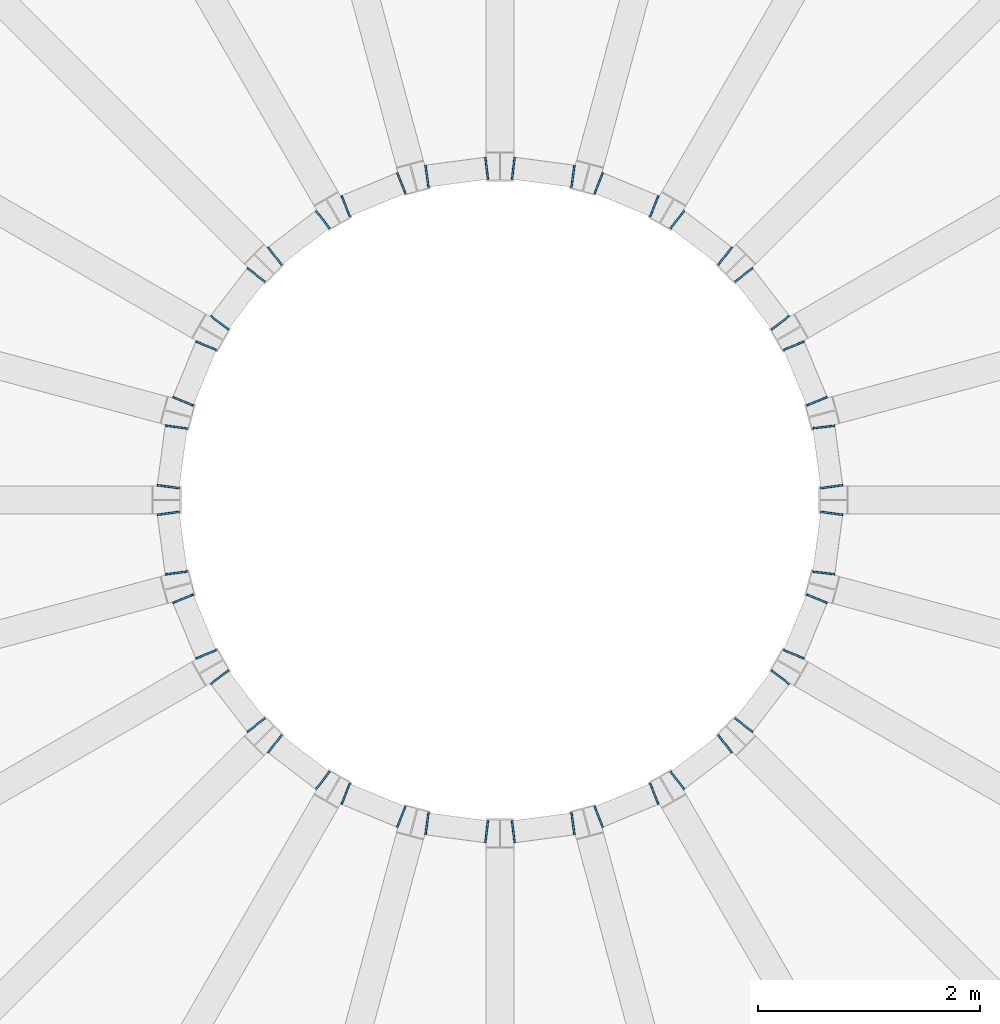
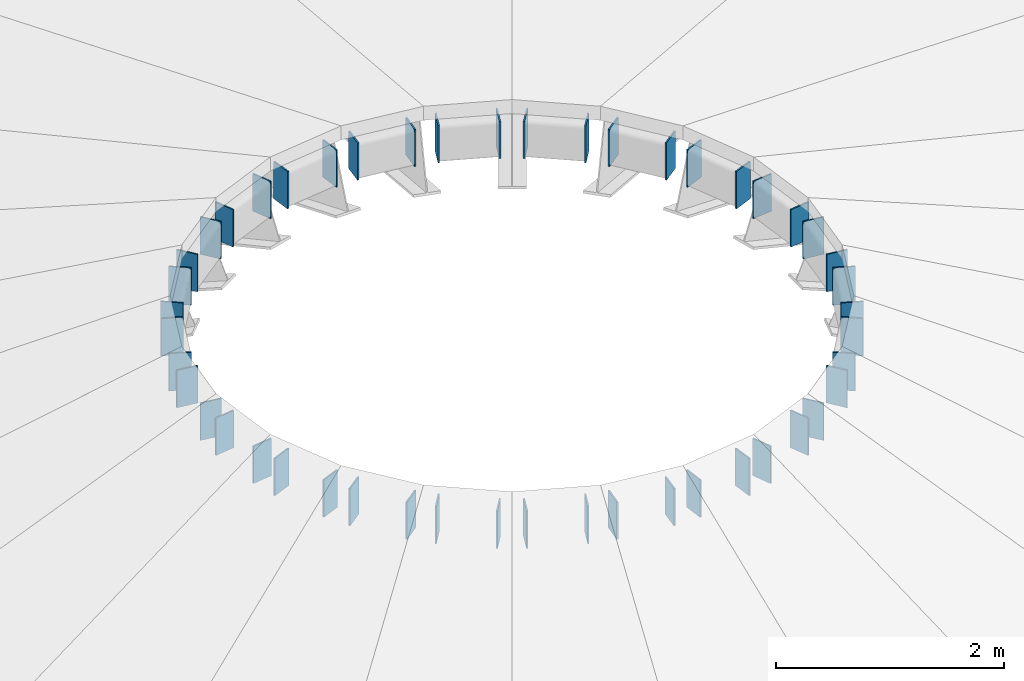
# One storey, part 20 of 21: 48 discrete accessories.
"""IFC4 building model written with IfcOpenShell, lengths in metres."""

import ifcopenshell
import ifcopenshell.guid

model = None  # the IFC model being written
_history = None  # IfcOwnerHistory: only IFC2X3 demands one
_inside = {}  # id of a spatial element -> (the spatial element, [elements in it])
_under = {}  # id of a project, library or spatial element -> (it, [spatial elements below it])
_declared = {}  # id of a project -> (the project, [libraries it declares])
_typed = {}  # id of a type object -> (the type object, [elements of that type])
_made_of = {}  # id of a material, layer set ... -> (it, [elements and type objects made of it])


def new_model(schema):
    """Start an empty IFC model of exactly this schema.

    Asked for "IFC4X3", IfcOpenShell would pick the latest addendum, in which some entities
    have other attributes; the version numbers below select the first issue.
    IFC2X3 requires an IfcOwnerHistory on every rooted entity: one is made here for all.
    """
    global model, _history
    if schema == "IFC4X3":
        model = ifcopenshell.file(schema_version=(4, 3, 0, 0))
    else:
        model = ifcopenshell.file(schema=schema)
    _inside.clear()
    _under.clear()
    _declared.clear()
    _typed.clear()
    _made_of.clear()
    _history = None
    if model.schema == "IFC2X3":
        org = make("IfcOrganization", Name="unknown")
        user = make(
            "IfcPersonAndOrganization",
            ThePerson=make("IfcPerson", FamilyName="unknown"),
            TheOrganization=org,
        )
        app = make(
            "IfcApplication",
            ApplicationDeveloper=org,
            Version="unknown",
            ApplicationFullName="unknown",
            ApplicationIdentifier="unknown",
        )
        _history = make(
            "IfcOwnerHistory",
            OwningUser=user,
            OwningApplication=app,
            ChangeAction="ADDED",
            CreationDate=0,
        )
    return model


def make(cls, **values):
    """One entity of the class cls with the attributes given. An attribute that is None is left unset."""
    return model.create_entity(
        cls, **{name: value for name, value in values.items() if value is not None}
    )


def rooted(cls, **values):
    """An entity with a GlobalId (a new one), such as an element, a storey or a relation."""
    return make(cls, GlobalId=ifcopenshell.guid.new(), OwnerHistory=_history, **values)


def si_unit(unit_type, name, prefix=None):
    """IfcSIUnit, for example si_unit("LENGTHUNIT", "METRE", prefix="MILLI")."""
    return make("IfcSIUnit", UnitType=unit_type, Prefix=prefix, Name=name)


def assignment(units):
    """IfcUnitAssignment: the units of a project."""
    return None if units is None else make("IfcUnitAssignment", Units=units)


def point(xyz):
    """IfcCartesianPoint."""
    return None if xyz is None else make("IfcCartesianPoint", Coordinates=xyz)


def direction(xyz):
    """IfcDirection."""
    return None if xyz is None else make("IfcDirection", DirectionRatios=xyz)


def frame(location, z_axis=None, x_axis=None):
    """IfcAxis2Placement3D, a coordinate frame: its origin and axes. An axis left out is left unset."""
    return make(
        "IfcAxis2Placement3D",
        Location=point(location),
        Axis=direction(z_axis),
        RefDirection=direction(x_axis),
    )


def frame_2d(location, x_axis=None):
    """IfcAxis2Placement2D, a coordinate frame in the plane: its origin and x axis."""
    return make(
        "IfcAxis2Placement2D", Location=point(location), RefDirection=direction(x_axis)
    )


def origin():
    """The frame at (0, 0, 0) with its axes left unset."""
    return frame((0.0, 0.0, 0.0))


def origin_2d():
    """The frame at (0, 0) in the plane with its x axis left unset."""
    return frame_2d((0.0, 0.0))


def place(relative_to, where):
    """IfcLocalPlacement: puts the frame where relative to a parent placement (None: the world)."""
    return make(
        "IfcLocalPlacement", PlacementRelTo=relative_to, RelativePlacement=where
    )


def context(
    kind, dimensions, precision=None, world=None, true_north=None, identifier=None
):
    """IfcGeometricRepresentationContext, for example the 3D "Model" context."""
    return make(
        "IfcGeometricRepresentationContext",
        ContextIdentifier=identifier,
        ContextType=kind,
        CoordinateSpaceDimension=dimensions,
        Precision=precision,
        WorldCoordinateSystem=world,
        TrueNorth=true_north,
    )


def subcontext(parent, identifier, kind, view, scale=None):
    """IfcGeometricRepresentationSubContext, for example "Body" below "Model"."""
    return make(
        "IfcGeometricRepresentationSubContext",
        ContextIdentifier=identifier,
        ContextType=kind,
        ParentContext=parent,
        TargetScale=scale,
        TargetView=view,
    )


def project(units=None, contexts=None):
    """IfcProject with its units and contexts."""
    return rooted(
        "IfcProject",
        Name="project",
        RepresentationContexts=contexts,
        UnitsInContext=assignment(units),
    )


def spatial(cls, under=None, at=None, **own):
    """A site, building, storey or space (cls), placed at a placement, below another one or the project."""
    s = rooted(cls, ObjectPlacement=at, **own)
    if under is not None:
        _under.setdefault(under.id(), (under, []))[1].append(s)
    return s


def profile(cls, at=None, kind="AREA", **sizes):
    """A parametric profile (cls). Its sizes go by their IFC names, for example OverallWidth=200.0."""
    return make(cls, ProfileType=kind, Position=at, **sizes)


def rectangle(**sizes):
    """IfcRectangleProfileDef."""
    return profile("IfcRectangleProfileDef", **sizes)


def extrude(swept, where, along, depth):
    """IfcExtrudedAreaSolid: the profile swept, set in the frame where, extruded along a direction by depth."""
    return make(
        "IfcExtrudedAreaSolid",
        SweptArea=swept,
        Position=where,
        ExtrudedDirection=direction(along),
        Depth=depth,
    )


def shape(context_of_items, identifier, shape_type, items):
    """IfcShapeRepresentation: the items that make up one representation, for example the "Body"."""
    return make(
        "IfcShapeRepresentation",
        ContextOfItems=context_of_items,
        RepresentationIdentifier=identifier,
        RepresentationType=shape_type,
        Items=items,
    )


def material(Name=None, Category=None):
    """IfcMaterial."""
    return make("IfcMaterial", Name=Name, Category=Category)


def material_profile(
    of_material, cross_section, Name=None, Category=None, Priority=None
):
    """IfcMaterialProfile: a cross section and its material."""
    return make(
        "IfcMaterialProfile",
        Name=Name,
        Material=of_material,
        Profile=cross_section,
        Priority=Priority,
        Category=Category,
    )


def profile_set(profiles, Name=None, composite=None):
    """IfcMaterialProfileSet."""
    return make(
        "IfcMaterialProfileSet",
        Name=Name,
        MaterialProfiles=profiles,
        CompositeProfile=composite,
    )


def made_of(thing, what):
    """Note that an element or type object is made of a material, layer set ...; save() writes the relation."""
    if what is not None:
        _made_of.setdefault(what.id(), (what, []))[1].append(thing)
    return thing


def type_object(cls, material=None, **own):
    """A type object (cls), such as IfcWallType, which elements share."""
    return made_of(rooted(cls, **own), material)


def element(
    cls,
    number,
    at=None,
    inside=None,
    cuts=None,
    type_object=None,
    material=None,
    context=None,
    identifier="Body",
    shape_type=None,
    held_by="IfcProductDefinitionShape",
    body=None,
    shapes=None,
    **own,
):
    """One element of the class cls, such as IfcWall. Its Tag is "e" and its number.

    at: its placement. inside: the storey or other place that contains it. cuts: it is an
    opening in that element (IfcRelVoidsElement). A single representation is given by context,
    identifier, shape_type and body (its items); several are given by shapes. held_by: the class
    of the entity that holds the representations. save() writes the other relations.
    """
    e = rooted(cls, Tag="e%d" % number, ObjectPlacement=at, **own)
    if body is not None:
        shapes = [shape(context, identifier, shape_type, body)]
    if shapes is not None:
        e.Representation = make(held_by, Representations=shapes)
    if inside is not None:
        _inside.setdefault(inside.id(), (inside, []))[1].append(e)
    if cuts is not None:
        rooted(
            "IfcRelVoidsElement", RelatingBuildingElement=cuts, RelatedOpeningElement=e
        )
    if type_object is not None:
        _typed.setdefault(type_object.id(), (type_object, []))[1].append(e)
    return made_of(e, material)


def aggregate(whole, parts):
    """IfcRelAggregates: a whole, such as a stair, and the parts it consists of."""
    return rooted("IfcRelAggregates", RelatingObject=whole, RelatedObjects=parts)


def save(model, path):
    """Write the relations noted so far, then the file.

    IfcRelAggregates (storeys below a building ...), IfcRelContainedInSpatialStructure (elements
    in a storey), IfcRelDefinesByType, IfcRelAssociatesMaterial and IfcRelDeclares: one each for
    every whole, place, type object, material and project.
    """
    for whole, parts in _under.values():
        aggregate(whole, parts)
    for where, things in _inside.values():
        rooted(
            "IfcRelContainedInSpatialStructure",
            RelatedElements=things,
            RelatingStructure=where,
        )
    for kind, things in _typed.values():
        rooted("IfcRelDefinesByType", RelatedObjects=things, RelatingType=kind)
    for what, things in _made_of.values():
        rooted("IfcRelAssociatesMaterial", RelatedObjects=things, RelatingMaterial=what)
    for by, libraries in _declared.values():
        rooted("IfcRelDeclares", RelatingContext=by, RelatedDefinitions=libraries)
    model.write(path)


model = new_model("IFC4")

# Units and contexts
model_context = context("Model", 3, precision=1e-05, world=origin(), true_north=direction((0.0, 1.0)))
body_context = subcontext(model_context, "Body", "Model", "MODEL_VIEW")
ifc_project = project(units=[si_unit("LENGTHUNIT", "METRE"), si_unit("AREAUNIT", "SQUARE_METRE"), si_unit("VOLUMEUNIT", "CUBIC_METRE"), si_unit("PLANEANGLEUNIT", "RADIAN"), si_unit("MASSUNIT", "GRAM", prefix="KILO")], contexts=[model_context])

# Site, building, storey
site_placement = place(None, origin())
site = spatial("IfcSite", under=ifc_project, at=site_placement, CompositionType="ELEMENT")
building_placement = place(site_placement, origin())
building = spatial("IfcBuilding", under=site, at=building_placement, Name="Ceibo Conservatory and Research Tower", CompositionType="ELEMENT")
storey_placement = place(building_placement, frame((0.0, 0.0, 15.60009765625)))
storey = spatial("IfcBuildingStorey", under=building, at=storey_placement, Name="L03", CompositionType="ELEMENT", Elevation=15.60009765625)

# Discrete accessories
ifc_material = material(Name="Steel S355J2", Category="steel")
ifc_material_profile = material_profile(ifc_material, rectangle(XDim=0.199951171875, YDim=0.39990234375, at=origin_2d()), Name="End plate PL 400x200x12.5")
ifc_profile_set = profile_set([ifc_material_profile], Name="Steel S355J2")
discrete_accessory_type = type_object("IfcDiscreteAccessoryType", Name="End plate PL 400x200x12.5", PredefinedType="USERDEFINED", material=ifc_profile_set)
discrete_accessory_1_placement = place(storey_placement, frame((59.165283203125, 72.112548828125, 5.0498046875), z_axis=(-0.134363672974, 0.99093208818, 0.0), x_axis=(-0.99093208818, -0.134363672974, 0.0)))
element("IfcDiscreteAccessory", 1, at=discrete_accessory_1_placement, inside=storey, type_object=discrete_accessory_type, Name="Auditorium compression ring chord 01 end plate", ObjectType="End plate", PredefinedType="USERDEFINED", context=body_context, shape_type="SweptSolid", body=[
    extrude(rectangle(XDim=0.199951171875, YDim=0.39990234375, at=origin_2d()), origin(), (0.0, 0.0, 1.0), 0.0146484375),
])
discrete_accessory_2_placement = place(storey_placement, frame((59.094482421875, 72.6494140625, 5.0498046875), z_axis=(-0.117817739878, 0.993035236117, 0.0), x_axis=(-0.993035236117, -0.117817739878, 0.0)))
element("IfcDiscreteAccessory", 2, at=discrete_accessory_2_placement, inside=storey, type_object=discrete_accessory_type, Name="Auditorium compression ring chord 01 end plate", ObjectType="End plate", PredefinedType="USERDEFINED", context=body_context, shape_type="SweptSolid", body=[
    extrude(rectangle(XDim=0.199951171875, YDim=0.39990234375, at=origin_2d()), origin(), (0.0, 0.0, 1.0), 0.014404296875),
])
for number, where, z_axis, x_axis, name in (
    (3, (59.034423828125, 72.88134765625, 5.0498046875), (-0.385806130442, 0.922579877145, 0.0), (-0.922579877145, -0.385806130442, 0.0), "Auditorium compression ring chord 02 end plate"),
    (4, (58.8271484375, 73.381591796875, 5.0498046875), (-0.385806130442, 0.922579877145, 0.0), (-0.922579877145, -0.385806130442, 0.0), "Auditorium compression ring chord 02 end plate"),
):
    element("IfcDiscreteAccessory", number, at=place(storey_placement, frame(where, z_axis=z_axis, x_axis=x_axis)), inside=storey, type_object=discrete_accessory_type, Name=name, ObjectType="End plate", PredefinedType="USERDEFINED", context=body_context, shape_type="SweptSolid", body=[
        extrude(rectangle(XDim=0.199951171875, YDim=0.39990234375, at=origin_2d()), origin(), (0.0, 0.0, 1.0), 0.0146484375),
    ])
for number, where, z_axis, x_axis, name in (
    (5, (58.708984375, 73.590087890625, 5.0498046875), (-0.608076877788, 0.793878146002, 0.0), (-0.793878146002, -0.608076877788, 0.0), "Auditorium compression ring chord 03 end plate"),
    (6, (58.37939453125, 74.019775390625, 5.0498046875), (-0.608076877788, 0.793878146002, 0.0), (-0.793878146002, -0.608076877788, 0.0), "Auditorium compression ring chord 03 end plate"),
    (7, (58.211181640625, 74.1904296875, 5.0498046875), (-0.793878146002, 0.608076877788, 0.0), (-0.608076877788, -0.793878146002, 0.0), "Auditorium compression ring chord 04 end plate"),
):
    element("IfcDiscreteAccessory", number, at=place(storey_placement, frame(where, z_axis=z_axis, x_axis=x_axis)), inside=storey, type_object=discrete_accessory_type, Name=name, ObjectType="End plate", PredefinedType="USERDEFINED", context=body_context, shape_type="SweptSolid", body=[
        extrude(rectangle(XDim=0.199951171875, YDim=0.39990234375, at=origin_2d()), origin(), (0.0, 0.0, 1.0), 0.014404296875),
    ])
discrete_accessory_3_placement = place(storey_placement, frame((57.78173828125, 74.52001953125, 5.0498046875), z_axis=(-0.785737878313, 0.618559606331, 0.0), x_axis=(-0.618559606331, -0.785737878313, 0.0)))
element("IfcDiscreteAccessory", 8, at=discrete_accessory_3_placement, inside=storey, type_object=discrete_accessory_type, Name="Auditorium compression ring chord 04 end plate", ObjectType="End plate", PredefinedType="USERDEFINED", context=body_context, shape_type="SweptSolid", body=[
    extrude(rectangle(XDim=0.199951171875, YDim=0.39990234375, at=origin_2d()), origin(), (0.0, 0.0, 1.0), 0.0146484375),
])
for number, where, z_axis, x_axis, name in (
    (9, (57.5751953125, 74.6416015625, 5.0498046875), (-0.928476690885, 0.371390676354, 0.0), (-0.371390676354, -0.928476690885, 0.0), "Auditorium compression ring chord 05 end plate"),
    (10, (57.074951171875, 74.848876953125, 5.0498046875), (-0.928476690885, 0.371390676354, 0.0), (-0.371390676354, -0.928476690885, 0.0), "Auditorium compression ring chord 05 end plate"),
):
    element("IfcDiscreteAccessory", number, at=place(storey_placement, frame(where, z_axis=z_axis, x_axis=x_axis)), inside=storey, type_object=discrete_accessory_type, Name=name, ObjectType="End plate", PredefinedType="USERDEFINED", context=body_context, shape_type="SweptSolid", body=[
        extrude(rectangle(XDim=0.199951171875, YDim=0.39990234375, at=origin_2d()), origin(), (0.0, 0.0, 1.0), 0.014404296875),
    ])
discrete_accessory_4_placement = place(storey_placement, frame((56.843994140625, 74.91259765625, 5.0498046875), z_axis=(-0.99093208818, 0.134363672974, 0.0), x_axis=(-0.134363672974, -0.99093208818, 0.0)))
element("IfcDiscreteAccessory", 11, at=discrete_accessory_4_placement, inside=storey, type_object=discrete_accessory_type, Name="Auditorium compression ring chord 06 end plate", ObjectType="End plate", PredefinedType="USERDEFINED", context=body_context, shape_type="SweptSolid", body=[
    extrude(rectangle(XDim=0.199951171875, YDim=0.39990234375, at=origin_2d()), origin(), (0.0, 0.0, 1.0), 0.0146484375),
])
for number, where, z_axis, x_axis, name in (
    (12, (56.30712890625, 74.9833984375, 5.0498046875), (-0.993035236117, 0.117817739878, 0.0), (-0.117817739878, -0.993035236117, 0.0), "Auditorium compression ring chord 06 end plate"),
    (13, (56.0673828125, 74.985107421875, 5.0498046875), (-0.993035236117, -0.117817739878, 0.0), (0.117817739878, -0.993035236117, 0.0), "Auditorium compression ring chord 07 end plate"),
):
    element("IfcDiscreteAccessory", number, at=place(storey_placement, frame(where, z_axis=z_axis, x_axis=x_axis)), inside=storey, type_object=discrete_accessory_type, Name=name, ObjectType="End plate", PredefinedType="USERDEFINED", context=body_context, shape_type="SweptSolid", body=[
        extrude(rectangle(XDim=0.199951171875, YDim=0.39990234375, at=origin_2d()), origin(), (0.0, 0.0, 1.0), 0.014404296875),
    ])
discrete_accessory_5_placement = place(storey_placement, frame((55.530517578125, 74.91455078125, 5.0498046875), z_axis=(-0.99093208818, -0.134363672974, 0.0), x_axis=(0.134363672974, -0.99093208818, 0.0)))
element("IfcDiscreteAccessory", 14, at=discrete_accessory_5_placement, inside=storey, type_object=discrete_accessory_type, Name="Auditorium compression ring chord 07 end plate", ObjectType="End plate", PredefinedType="USERDEFINED", context=body_context, shape_type="SweptSolid", body=[
    extrude(rectangle(XDim=0.199951171875, YDim=0.39990234375, at=origin_2d()), origin(), (0.0, 0.0, 1.0), 0.0146484375),
])
discrete_accessory_6_placement = place(storey_placement, frame((55.298583984375, 74.854248046875, 5.0498046875), z_axis=(-0.92609235977, -0.377296887314, 0.0), x_axis=(0.377296887314, -0.92609235977, 0.0)))
element("IfcDiscreteAccessory", 15, at=discrete_accessory_6_placement, inside=storey, type_object=discrete_accessory_type, Name="Auditorium compression ring chord 08 end plate", ObjectType="End plate", PredefinedType="USERDEFINED", context=body_context, shape_type="SweptSolid", body=[
    extrude(rectangle(XDim=0.199951171875, YDim=0.39990234375, at=origin_2d()), origin(), (0.0, 0.0, 1.0), 0.01416015625),
])
discrete_accessory_7_placement = place(storey_placement, frame((54.79833984375, 74.64697265625, 5.0498046875), z_axis=(-0.928476690885, -0.371390676354, 0.0), x_axis=(0.371390676354, -0.928476690885, 0.0)))
element("IfcDiscreteAccessory", 16, at=discrete_accessory_7_placement, inside=storey, type_object=discrete_accessory_type, Name="Auditorium compression ring chord 08 end plate", ObjectType="End plate", PredefinedType="USERDEFINED", context=body_context, shape_type="SweptSolid", body=[
    extrude(rectangle(XDim=0.199951171875, YDim=0.39990234375, at=origin_2d()), origin(), (0.0, 0.0, 1.0), 0.014404296875),
])
discrete_accessory_8_placement = place(storey_placement, frame((54.590087890625, 74.529052734375, 5.0498046875), z_axis=(-0.792010197197, -0.610507860339, 0.0), x_axis=(0.610507860339, -0.792010197197, 0.0)))
element("IfcDiscreteAccessory", 17, at=discrete_accessory_8_placement, inside=storey, type_object=discrete_accessory_type, Name="Auditorium compression ring chord 09 end plate", ObjectType="End plate", PredefinedType="USERDEFINED", context=body_context, shape_type="SweptSolid", body=[
    extrude(rectangle(XDim=0.199951171875, YDim=0.39990234375, at=origin_2d()), origin(), (0.0, 0.0, 1.0), 0.014892578125),
])
for number, where, z_axis, x_axis, name in (
    (18, (54.160400390625, 74.19921875, 5.0498046875), (-0.793878146002, -0.608076877788, 0.0), (0.608076877788, -0.793878146002, 0.0), "Auditorium compression ring chord 09 end plate"),
    (19, (53.989501953125, 74.03125, 5.0498046875), (-0.608076877788, -0.793878146002, 0.0), (0.793878146002, -0.608076877788, 0.0), "Auditorium compression ring chord 10 end plate"),
    (20, (53.659912109375, 73.6015625, 5.0498046875), (-0.608076877788, -0.793878146002, 0.0), (0.793878146002, -0.608076877788, 0.0), "Auditorium compression ring chord 10 end plate"),
):
    element("IfcDiscreteAccessory", number, at=place(storey_placement, frame(where, z_axis=z_axis, x_axis=x_axis)), inside=storey, type_object=discrete_accessory_type, Name=name, ObjectType="End plate", PredefinedType="USERDEFINED", context=body_context, shape_type="SweptSolid", body=[
        extrude(rectangle(XDim=0.199951171875, YDim=0.39990234375, at=origin_2d()), origin(), (0.0, 0.0, 1.0), 0.014404296875),
    ])
for number, where, z_axis, x_axis, name in (
    (21, (53.53857421875, 73.39501953125, 5.0498046875), (-0.385806130442, -0.922579877145, 0.0), (0.922579877145, -0.385806130442, 0.0), "Auditorium compression ring chord 11 end plate"),
    (22, (53.331298828125, 72.894775390625, 5.0498046875), (-0.385806130442, -0.922579877145, 0.0), (0.922579877145, -0.385806130442, 0.0), "Auditorium compression ring chord 11 end plate"),
    (23, (53.267578125, 72.663818359375, 5.0498046875), (-0.134363672974, -0.99093208818, 0.0), (0.99093208818, -0.134363672974, 0.0), "Auditorium compression ring chord 12 end plate"),
    (24, (53.19677734375, 72.126953125, 5.0498046875), (-0.134363672974, -0.99093208818, 0.0), (0.99093208818, -0.134363672974, 0.0), "Auditorium compression ring chord 12 end plate"),
    (25, (53.19482421875, 71.887451171875, 5.0498046875), (0.134363672974, -0.99093208818, 0.0), (0.99093208818, 0.134363672974, 0.0), "Auditorium compression ring chord 13 end plate"),
    (26, (53.265625, 71.3505859375, 5.0498046875), (0.134363672974, -0.99093208818, 0.0), (0.99093208818, 0.134363672974, 0.0), "Auditorium compression ring chord 13 end plate"),
    (27, (53.32568359375, 71.11865234375, 5.0498046875), (0.385806130442, -0.922579877145, 0.0), (0.922579877145, 0.385806130442, 0.0), "Auditorium compression ring chord 14 end plate"),
    (28, (53.532958984375, 70.618408203125, 5.0498046875), (0.385806130442, -0.922579877145, 0.0), (0.922579877145, 0.385806130442, 0.0), "Auditorium compression ring chord 14 end plate"),
):
    element("IfcDiscreteAccessory", number, at=place(storey_placement, frame(where, z_axis=z_axis, x_axis=x_axis)), inside=storey, type_object=discrete_accessory_type, Name=name, ObjectType="End plate", PredefinedType="USERDEFINED", context=body_context, shape_type="SweptSolid", body=[
        extrude(rectangle(XDim=0.199951171875, YDim=0.39990234375, at=origin_2d()), origin(), (0.0, 0.0, 1.0), 0.0146484375),
    ])
for number, where, z_axis, x_axis, name in (
    (29, (53.651123046875, 70.409912109375, 5.0498046875), (0.608076877788, -0.793878146002, 0.0), (0.793878146002, 0.608076877788, 0.0), "Auditorium compression ring chord 15 end plate"),
    (30, (53.980712890625, 69.980224609375, 5.0498046875), (0.608076877788, -0.793878146002, 0.0), (0.793878146002, 0.608076877788, 0.0), "Auditorium compression ring chord 15 end plate"),
    (31, (54.14892578125, 69.8095703125, 5.0498046875), (0.793878146002, -0.608076877788, 0.0), (0.608076877788, 0.793878146002, 0.0), "Auditorium compression ring chord 16 end plate"),
):
    element("IfcDiscreteAccessory", number, at=place(storey_placement, frame(where, z_axis=z_axis, x_axis=x_axis)), inside=storey, type_object=discrete_accessory_type, Name=name, ObjectType="End plate", PredefinedType="USERDEFINED", context=body_context, shape_type="SweptSolid", body=[
        extrude(rectangle(XDim=0.199951171875, YDim=0.39990234375, at=origin_2d()), origin(), (0.0, 0.0, 1.0), 0.014404296875),
    ])
discrete_accessory_9_placement = place(storey_placement, frame((54.578369140625, 69.47998046875, 5.0498046875), z_axis=(0.792010197197, -0.610507860339, 0.0), x_axis=(0.610507860339, 0.792010197197, 0.0)))
element("IfcDiscreteAccessory", 32, at=discrete_accessory_9_placement, inside=storey, type_object=discrete_accessory_type, Name="Auditorium compression ring chord 16 end plate", ObjectType="End plate", PredefinedType="USERDEFINED", context=body_context, shape_type="SweptSolid", body=[
    extrude(rectangle(XDim=0.199951171875, YDim=0.39990234375, at=origin_2d()), origin(), (0.0, 0.0, 1.0), 0.014892578125),
])
discrete_accessory_10_placement = place(storey_placement, frame((54.784912109375, 69.3583984375, 5.0498046875), z_axis=(0.928476690885, -0.371390676354, 0.0), x_axis=(0.371390676354, 0.928476690885, 0.0)))
element("IfcDiscreteAccessory", 33, at=discrete_accessory_10_placement, inside=storey, type_object=discrete_accessory_type, Name="Auditorium compression ring chord 17 end plate", ObjectType="End plate", PredefinedType="USERDEFINED", context=body_context, shape_type="SweptSolid", body=[
    extrude(rectangle(XDim=0.199951171875, YDim=0.39990234375, at=origin_2d()), origin(), (0.0, 0.0, 1.0), 0.014404296875),
])
discrete_accessory_11_placement = place(storey_placement, frame((55.285400390625, 69.151123046875, 5.0498046875), z_axis=(0.92609235977, -0.377296887314, 0.0), x_axis=(0.377296887314, 0.92609235977, 0.0)))
element("IfcDiscreteAccessory", 34, at=discrete_accessory_11_placement, inside=storey, type_object=discrete_accessory_type, Name="Auditorium compression ring chord 17 end plate", ObjectType="End plate", PredefinedType="USERDEFINED", context=body_context, shape_type="SweptSolid", body=[
    extrude(rectangle(XDim=0.199951171875, YDim=0.39990234375, at=origin_2d()), origin(), (0.0, 0.0, 1.0), 0.01416015625),
])
discrete_accessory_12_placement = place(storey_placement, frame((55.51611328125, 69.08740234375, 5.0498046875), z_axis=(0.99093208818, -0.134363672974, 0.0), x_axis=(0.134363672974, 0.99093208818, 0.0)))
element("IfcDiscreteAccessory", 35, at=discrete_accessory_12_placement, inside=storey, type_object=discrete_accessory_type, Name="Auditorium compression ring chord 18 end plate", ObjectType="End plate", PredefinedType="USERDEFINED", context=body_context, shape_type="SweptSolid", body=[
    extrude(rectangle(XDim=0.199951171875, YDim=0.39990234375, at=origin_2d()), origin(), (0.0, 0.0, 1.0), 0.0146484375),
])
for number, where, z_axis, x_axis, name in (
    (36, (56.052978515625, 69.0166015625, 5.0498046875), (0.993035236117, -0.117817739878, 0.0), (0.117817739878, 0.993035236117, 0.0), "Auditorium compression ring chord 18 end plate"),
    (37, (56.292724609375, 69.014892578125, 5.0498046875), (0.993035236117, 0.117817739878, 0.0), (-0.117817739878, 0.993035236117, 0.0), "Auditorium compression ring chord 19 end plate"),
):
    element("IfcDiscreteAccessory", number, at=place(storey_placement, frame(where, z_axis=z_axis, x_axis=x_axis)), inside=storey, type_object=discrete_accessory_type, Name=name, ObjectType="End plate", PredefinedType="USERDEFINED", context=body_context, shape_type="SweptSolid", body=[
        extrude(rectangle(XDim=0.199951171875, YDim=0.39990234375, at=origin_2d()), origin(), (0.0, 0.0, 1.0), 0.014404296875),
    ])
discrete_accessory_13_placement = place(storey_placement, frame((56.82958984375, 69.08544921875, 5.0498046875), z_axis=(0.99093208818, 0.134363672974, 0.0), x_axis=(-0.134363672974, 0.99093208818, 0.0)))
element("IfcDiscreteAccessory", 38, at=discrete_accessory_13_placement, inside=storey, type_object=discrete_accessory_type, Name="Auditorium compression ring chord 19 end plate", ObjectType="End plate", PredefinedType="USERDEFINED", context=body_context, shape_type="SweptSolid", body=[
    extrude(rectangle(XDim=0.199951171875, YDim=0.39990234375, at=origin_2d()), origin(), (0.0, 0.0, 1.0), 0.0146484375),
])
for number, where, z_axis, x_axis, name in (
    (39, (57.0615234375, 69.145751953125, 5.0498046875), (0.928476690885, 0.371390676354, 0.0), (-0.371390676354, 0.928476690885, 0.0), "Auditorium compression ring chord 20 end plate"),
    (40, (57.561767578125, 69.35302734375, 5.0498046875), (0.928476690885, 0.371390676354, 0.0), (-0.371390676354, 0.928476690885, 0.0), "Auditorium compression ring chord 20 end plate"),
):
    element("IfcDiscreteAccessory", number, at=place(storey_placement, frame(where, z_axis=z_axis, x_axis=x_axis)), inside=storey, type_object=discrete_accessory_type, Name=name, ObjectType="End plate", PredefinedType="USERDEFINED", context=body_context, shape_type="SweptSolid", body=[
        extrude(rectangle(XDim=0.199951171875, YDim=0.39990234375, at=origin_2d()), origin(), (0.0, 0.0, 1.0), 0.014404296875),
    ])
discrete_accessory_14_placement = place(storey_placement, frame((57.770263671875, 69.470947265625, 5.0498046875), z_axis=(0.785737878313, 0.618559606331, 0.0), x_axis=(-0.618559606331, 0.785737878313, 0.0)))
element("IfcDiscreteAccessory", 41, at=discrete_accessory_14_placement, inside=storey, type_object=discrete_accessory_type, Name="Auditorium compression ring chord 21 end plate", ObjectType="End plate", PredefinedType="USERDEFINED", context=body_context, shape_type="SweptSolid", body=[
    extrude(rectangle(XDim=0.199951171875, YDim=0.39990234375, at=origin_2d()), origin(), (0.0, 0.0, 1.0), 0.0146484375),
])
for number, where, z_axis, x_axis, name in (
    (42, (58.19970703125, 69.80078125, 5.0498046875), (0.793878146002, 0.608076877788, 0.0), (-0.608076877788, 0.793878146002, 0.0), "Auditorium compression ring chord 21 end plate"),
    (43, (58.37060546875, 69.96875, 5.0498046875), (0.608076877788, 0.793878146002, 0.0), (-0.793878146002, 0.608076877788, 0.0), "Auditorium compression ring chord 22 end plate"),
    (44, (58.7001953125, 70.3984375, 5.0498046875), (0.608076877788, 0.793878146002, 0.0), (-0.793878146002, 0.608076877788, 0.0), "Auditorium compression ring chord 22 end plate"),
):
    element("IfcDiscreteAccessory", number, at=place(storey_placement, frame(where, z_axis=z_axis, x_axis=x_axis)), inside=storey, type_object=discrete_accessory_type, Name=name, ObjectType="End plate", PredefinedType="USERDEFINED", context=body_context, shape_type="SweptSolid", body=[
        extrude(rectangle(XDim=0.199951171875, YDim=0.39990234375, at=origin_2d()), origin(), (0.0, 0.0, 1.0), 0.014404296875),
    ])
for number, where, z_axis, x_axis, name in (
    (45, (58.821533203125, 70.60498046875, 5.0498046875), (0.385806130442, 0.922579877145, 0.0), (-0.922579877145, 0.385806130442, 0.0), "Auditorium compression ring chord 23 end plate"),
    (46, (59.02880859375, 71.105224609375, 5.0498046875), (0.385806130442, 0.922579877145, 0.0), (-0.922579877145, 0.385806130442, 0.0), "Auditorium compression ring chord 23 end plate"),
):
    element("IfcDiscreteAccessory", number, at=place(storey_placement, frame(where, z_axis=z_axis, x_axis=x_axis)), inside=storey, type_object=discrete_accessory_type, Name=name, ObjectType="End plate", PredefinedType="USERDEFINED", context=body_context, shape_type="SweptSolid", body=[
        extrude(rectangle(XDim=0.199951171875, YDim=0.39990234375, at=origin_2d()), origin(), (0.0, 0.0, 1.0), 0.0146484375),
    ])
discrete_accessory_15_placement = place(storey_placement, frame((59.0927734375, 71.336181640625, 5.0498046875), z_axis=(0.117817739878, 0.993035236117, 0.0), x_axis=(-0.993035236117, 0.117817739878, 0.0)))
element("IfcDiscreteAccessory", 47, at=discrete_accessory_15_placement, inside=storey, type_object=discrete_accessory_type, Name="Auditorium compression ring chord 24 end plate", ObjectType="End plate", PredefinedType="USERDEFINED", context=body_context, shape_type="SweptSolid", body=[
    extrude(rectangle(XDim=0.199951171875, YDim=0.39990234375, at=origin_2d()), origin(), (0.0, 0.0, 1.0), 0.014404296875),
])
discrete_accessory_16_placement = place(storey_placement, frame((59.163330078125, 71.873046875, 5.0498046875), z_axis=(0.134363672974, 0.99093208818, 0.0), x_axis=(-0.99093208818, 0.134363672974, 0.0)))
element("IfcDiscreteAccessory", 48, at=discrete_accessory_16_placement, inside=storey, type_object=discrete_accessory_type, Name="Auditorium compression ring chord 24 end plate", ObjectType="End plate", PredefinedType="USERDEFINED", context=body_context, shape_type="SweptSolid", body=[
    extrude(rectangle(XDim=0.199951171875, YDim=0.39990234375, at=origin_2d()), origin(), (0.0, 0.0, 1.0), 0.0146484375),
])

save(model, "model.ifc")
